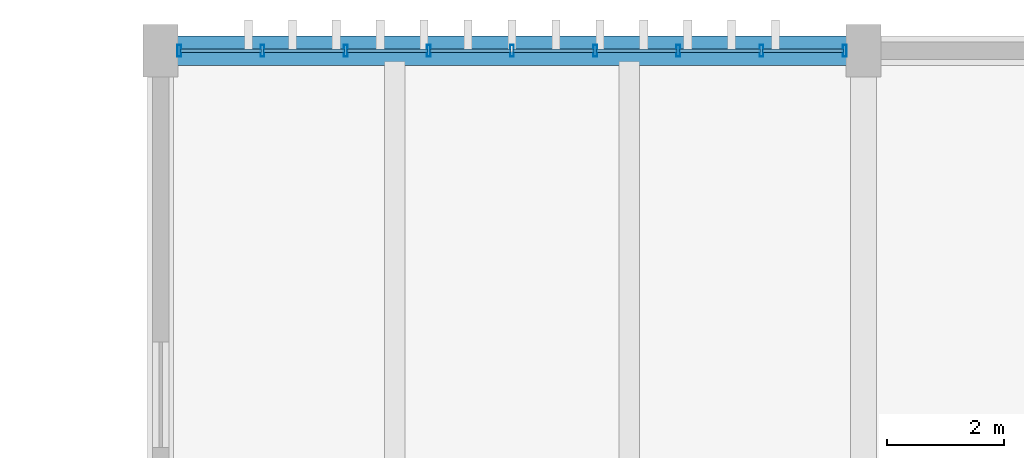
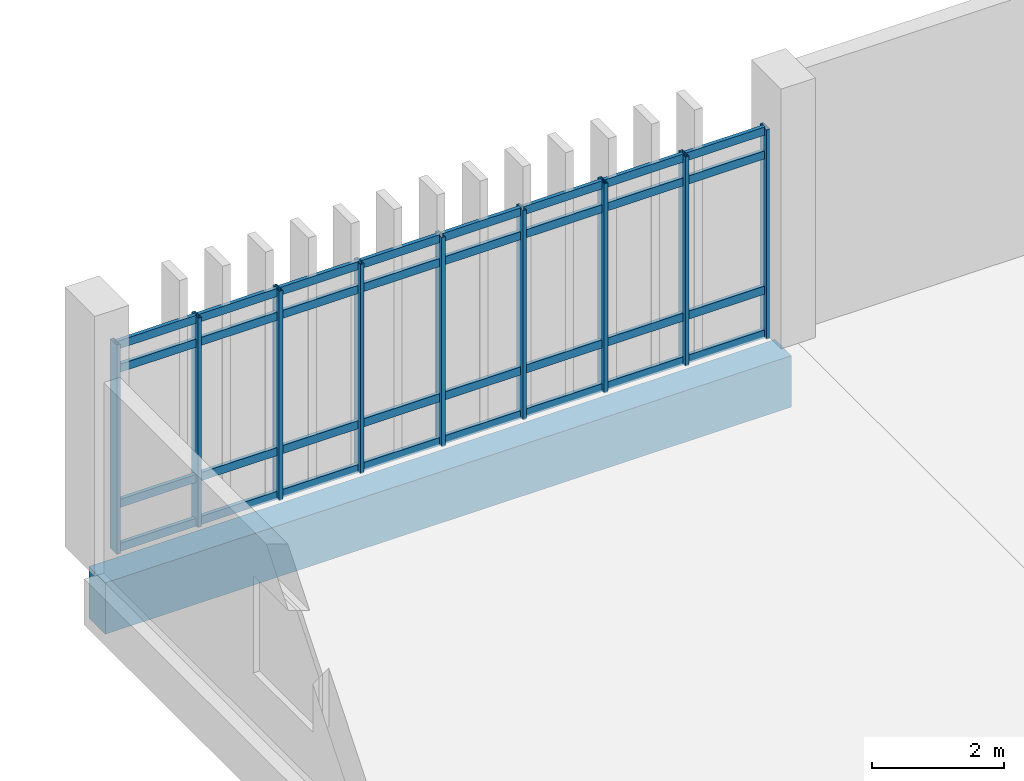
# One storey, part 37 of 87: 41 members, 1 beam, 1 element without a shape of its own.
"""IFC4 building model written with IfcOpenShell, lengths in metres."""

import ifcopenshell
import ifcopenshell.guid

model = None  # the IFC model being written
_history = None  # IfcOwnerHistory: only IFC2X3 demands one
_inside = {}  # id of a spatial element -> (the spatial element, [elements in it])
_under = {}  # id of a project, library or spatial element -> (it, [spatial elements below it])
_declared = {}  # id of a project -> (the project, [libraries it declares])
_typed = {}  # id of a type object -> (the type object, [elements of that type])
_made_of = {}  # id of a material, layer set ... -> (it, [elements and type objects made of it])


def new_model(schema):
    """Start an empty IFC model of exactly this schema.

    Asked for "IFC4X3", IfcOpenShell would pick the latest addendum, in which some entities
    have other attributes; the version numbers below select the first issue.
    IFC2X3 requires an IfcOwnerHistory on every rooted entity: one is made here for all.
    """
    global model, _history
    if schema == "IFC4X3":
        model = ifcopenshell.file(schema_version=(4, 3, 0, 0))
    else:
        model = ifcopenshell.file(schema=schema)
    _inside.clear()
    _under.clear()
    _declared.clear()
    _typed.clear()
    _made_of.clear()
    _history = None
    if model.schema == "IFC2X3":
        org = make("IfcOrganization", Name="unknown")
        user = make(
            "IfcPersonAndOrganization",
            ThePerson=make("IfcPerson", FamilyName="unknown"),
            TheOrganization=org,
        )
        app = make(
            "IfcApplication",
            ApplicationDeveloper=org,
            Version="unknown",
            ApplicationFullName="unknown",
            ApplicationIdentifier="unknown",
        )
        _history = make(
            "IfcOwnerHistory",
            OwningUser=user,
            OwningApplication=app,
            ChangeAction="ADDED",
            CreationDate=0,
        )
    return model


def make(cls, **values):
    """One entity of the class cls with the attributes given. An attribute that is None is left unset."""
    return model.create_entity(
        cls, **{name: value for name, value in values.items() if value is not None}
    )


def rooted(cls, **values):
    """An entity with a GlobalId (a new one), such as an element, a storey or a relation."""
    return make(cls, GlobalId=ifcopenshell.guid.new(), OwnerHistory=_history, **values)


def si_unit(unit_type, name, prefix=None):
    """IfcSIUnit, for example si_unit("LENGTHUNIT", "METRE", prefix="MILLI")."""
    return make("IfcSIUnit", UnitType=unit_type, Prefix=prefix, Name=name)


def assignment(units):
    """IfcUnitAssignment: the units of a project."""
    return None if units is None else make("IfcUnitAssignment", Units=units)


def point(xyz):
    """IfcCartesianPoint."""
    return None if xyz is None else make("IfcCartesianPoint", Coordinates=xyz)


def direction(xyz):
    """IfcDirection."""
    return None if xyz is None else make("IfcDirection", DirectionRatios=xyz)


def frame(location, z_axis=None, x_axis=None):
    """IfcAxis2Placement3D, a coordinate frame: its origin and axes. An axis left out is left unset."""
    return make(
        "IfcAxis2Placement3D",
        Location=point(location),
        Axis=direction(z_axis),
        RefDirection=direction(x_axis),
    )


def frame_2d(location, x_axis=None):
    """IfcAxis2Placement2D, a coordinate frame in the plane: its origin and x axis."""
    return make(
        "IfcAxis2Placement2D", Location=point(location), RefDirection=direction(x_axis)
    )


def origin():
    """The frame at (0, 0, 0) with its axes left unset."""
    return frame((0.0, 0.0, 0.0))


def origin_2d():
    """The frame at (0, 0) in the plane with its x axis left unset."""
    return frame_2d((0.0, 0.0))


def place(relative_to, where):
    """IfcLocalPlacement: puts the frame where relative to a parent placement (None: the world)."""
    return make(
        "IfcLocalPlacement", PlacementRelTo=relative_to, RelativePlacement=where
    )


def context(
    kind, dimensions, precision=None, world=None, true_north=None, identifier=None
):
    """IfcGeometricRepresentationContext, for example the 3D "Model" context."""
    return make(
        "IfcGeometricRepresentationContext",
        ContextIdentifier=identifier,
        ContextType=kind,
        CoordinateSpaceDimension=dimensions,
        Precision=precision,
        WorldCoordinateSystem=world,
        TrueNorth=true_north,
    )


def subcontext(parent, identifier, kind, view, scale=None):
    """IfcGeometricRepresentationSubContext, for example "Body" below "Model"."""
    return make(
        "IfcGeometricRepresentationSubContext",
        ContextIdentifier=identifier,
        ContextType=kind,
        ParentContext=parent,
        TargetScale=scale,
        TargetView=view,
    )


def project(units=None, contexts=None):
    """IfcProject with its units and contexts."""
    return rooted(
        "IfcProject",
        Name="project",
        RepresentationContexts=contexts,
        UnitsInContext=assignment(units),
    )


def spatial(cls, under=None, at=None, **own):
    """A site, building, storey or space (cls), placed at a placement, below another one or the project."""
    s = rooted(cls, ObjectPlacement=at, **own)
    if under is not None:
        _under.setdefault(under.id(), (under, []))[1].append(s)
    return s


def profile(cls, at=None, kind="AREA", **sizes):
    """A parametric profile (cls). Its sizes go by their IFC names, for example OverallWidth=200.0."""
    return make(cls, ProfileType=kind, Position=at, **sizes)


def rectangle(**sizes):
    """IfcRectangleProfileDef."""
    return profile("IfcRectangleProfileDef", **sizes)


def hollow_rectangle(**sizes):
    """IfcRectangleHollowProfileDef."""
    return profile("IfcRectangleHollowProfileDef", **sizes)


def extrude(swept, where, along, depth):
    """IfcExtrudedAreaSolid: the profile swept, set in the frame where, extruded along a direction by depth."""
    return make(
        "IfcExtrudedAreaSolid",
        SweptArea=swept,
        Position=where,
        ExtrudedDirection=direction(along),
        Depth=depth,
    )


def shape(context_of_items, identifier, shape_type, items):
    """IfcShapeRepresentation: the items that make up one representation, for example the "Body"."""
    return make(
        "IfcShapeRepresentation",
        ContextOfItems=context_of_items,
        RepresentationIdentifier=identifier,
        RepresentationType=shape_type,
        Items=items,
    )


def material(Name=None, Category=None):
    """IfcMaterial."""
    return make("IfcMaterial", Name=Name, Category=Category)


def layer(
    of_material, thickness, ventilated=None, Name=None, Category=None, Priority=None
):
    """IfcMaterialLayer: one layer of a wall or slab, of a material (None: an air gap)."""
    return make(
        "IfcMaterialLayer",
        Material=of_material,
        LayerThickness=thickness,
        IsVentilated=ventilated,
        Name=Name,
        Category=Category,
        Priority=Priority,
    )


def layer_set(layers, Name=None):
    """IfcMaterialLayerSet."""
    return make("IfcMaterialLayerSet", MaterialLayers=layers, LayerSetName=Name)


def material_profile(
    of_material, cross_section, Name=None, Category=None, Priority=None
):
    """IfcMaterialProfile: a cross section and its material."""
    return make(
        "IfcMaterialProfile",
        Name=Name,
        Material=of_material,
        Profile=cross_section,
        Priority=Priority,
        Category=Category,
    )


def profile_set(profiles, Name=None, composite=None):
    """IfcMaterialProfileSet."""
    return make(
        "IfcMaterialProfileSet",
        Name=Name,
        MaterialProfiles=profiles,
        CompositeProfile=composite,
    )


def made_of(thing, what):
    """Note that an element or type object is made of a material, layer set ...; save() writes the relation."""
    if what is not None:
        _made_of.setdefault(what.id(), (what, []))[1].append(thing)
    return thing


def type_object(cls, material=None, **own):
    """A type object (cls), such as IfcWallType, which elements share."""
    return made_of(rooted(cls, **own), material)


def element(
    cls,
    number,
    at=None,
    inside=None,
    cuts=None,
    type_object=None,
    material=None,
    context=None,
    identifier="Body",
    shape_type=None,
    held_by="IfcProductDefinitionShape",
    body=None,
    shapes=None,
    **own,
):
    """One element of the class cls, such as IfcWall. Its Tag is "e" and its number.

    at: its placement. inside: the storey or other place that contains it. cuts: it is an
    opening in that element (IfcRelVoidsElement). A single representation is given by context,
    identifier, shape_type and body (its items); several are given by shapes. held_by: the class
    of the entity that holds the representations. save() writes the other relations.
    """
    e = rooted(cls, Tag="e%d" % number, ObjectPlacement=at, **own)
    if body is not None:
        shapes = [shape(context, identifier, shape_type, body)]
    if shapes is not None:
        e.Representation = make(held_by, Representations=shapes)
    if inside is not None:
        _inside.setdefault(inside.id(), (inside, []))[1].append(e)
    if cuts is not None:
        rooted(
            "IfcRelVoidsElement", RelatingBuildingElement=cuts, RelatedOpeningElement=e
        )
    if type_object is not None:
        _typed.setdefault(type_object.id(), (type_object, []))[1].append(e)
    return made_of(e, material)


def aggregate(whole, parts):
    """IfcRelAggregates: a whole, such as a stair, and the parts it consists of."""
    return rooted("IfcRelAggregates", RelatingObject=whole, RelatedObjects=parts)


def save(model, path):
    """Write the relations noted so far, then the file.

    IfcRelAggregates (storeys below a building ...), IfcRelContainedInSpatialStructure (elements
    in a storey), IfcRelDefinesByType, IfcRelAssociatesMaterial and IfcRelDeclares: one each for
    every whole, place, type object, material and project.
    """
    for whole, parts in _under.values():
        aggregate(whole, parts)
    for where, things in _inside.values():
        rooted(
            "IfcRelContainedInSpatialStructure",
            RelatedElements=things,
            RelatingStructure=where,
        )
    for kind, things in _typed.values():
        rooted("IfcRelDefinesByType", RelatedObjects=things, RelatingType=kind)
    for what, things in _made_of.values():
        rooted("IfcRelAssociatesMaterial", RelatedObjects=things, RelatingMaterial=what)
    for by, libraries in _declared.values():
        rooted("IfcRelDeclares", RelatingContext=by, RelatedDefinitions=libraries)
    model.write(path)


model = new_model("IFC4")

# Units and contexts
model_context = context("Model", 3, precision=1e-05, world=origin(), true_north=direction((0.0, 1.0)))
body_context = subcontext(model_context, "Body", "Model", "MODEL_VIEW")
ifc_project = project(units=[si_unit("LENGTHUNIT", "METRE"), si_unit("AREAUNIT", "SQUARE_METRE"), si_unit("VOLUMEUNIT", "CUBIC_METRE"), si_unit("PLANEANGLEUNIT", "RADIAN"), si_unit("MASSUNIT", "GRAM", prefix="KILO")], contexts=[model_context])

# Site, building, storey
site_placement = place(None, origin())
site = spatial("IfcSite", under=ifc_project, at=site_placement, CompositionType="ELEMENT")
building_placement = place(site_placement, origin())
building = spatial("IfcBuilding", under=site, at=building_placement, Name="Mersad Railyard Sports Hall", CompositionType="ELEMENT")
storey_placement = place(building_placement, origin())
storey = spatial("IfcBuildingStorey", under=building, at=storey_placement, Name="L00", CompositionType="ELEMENT", Elevation=0.0)

# Curtain wall, members
ifc_material_1 = material(Name="Aluminium 6063-T6", Category="aluminium")
ifc_layer = layer(ifc_material_1, 0.199951171875)
ifc_layer_set = layer_set([ifc_layer], Name="Aluminium 6063-T6")
curtain_wall_type = type_object("IfcCurtainWallType", Name="ARC-CW-CW28", PredefinedType="USERDEFINED", material=ifc_layer_set)
curtain_wall_placement = place(storey_placement, origin())
curtain_wall = element("IfcCurtainWall", 1, at=curtain_wall_placement, inside=storey, type_object=curtain_wall_type, Name="Curtain wall CW28-0083", ObjectType="CURTAIN WALL", PredefinedType="USERDEFINED")
ifc_material_profile_1 = material_profile(ifc_material_1, hollow_rectangle(XDim=0.06494140625, YDim=0.199951171875, WallThickness=0.0048828125, at=origin_2d()), Name="AL MULLION 65x200x5")
ifc_profile_set_1 = profile_set([ifc_material_profile_1], Name="Aluminium 6063-T6")
member_type_1 = type_object("IfcMemberType", Name="ARC-CW-MUL02", PredefinedType="MULLION", material=ifc_profile_set_1)
member_1_placement = place(storey_placement, frame((43.320068359375, 115.0, -0.02001953125), z_axis=(0.0, 0.0, 1.0), x_axis=(1.0, 0.0, 0.0)))
member_1 = element("IfcMember", 2, at=member_1_placement, type_object=member_type_1, Name="CW28 Mullion 1", PredefinedType="MULLION", context=body_context, shape_type="SweptSolid", body=[
    extrude(hollow_rectangle(XDim=0.06494140625, YDim=0.199951171875, WallThickness=0.0048828125, at=origin_2d()), origin(), (0.0, 0.0, 1.0), 3.8701171875),
])
member_2_placement = place(storey_placement, frame((44.739990234375, 115.0, -0.02001953125), z_axis=(0.0, 0.0, 1.0), x_axis=(1.0, 0.0, 0.0)))
member_2 = element("IfcMember", 3, at=member_2_placement, type_object=member_type_1, Name="CW28 Mullion 2", PredefinedType="MULLION", context=body_context, shape_type="SweptSolid", body=[
    extrude(hollow_rectangle(XDim=0.06494140625, YDim=0.199951171875, WallThickness=0.0048828125, at=origin_2d()), origin(), (0.0, 0.0, 1.0), 3.8701171875),
])
member_3_placement = place(storey_placement, frame((46.159912109375, 115.0, -0.02001953125), z_axis=(0.0, 0.0, 1.0), x_axis=(1.0, 0.0, 0.0)))
member_3 = element("IfcMember", 4, at=member_3_placement, type_object=member_type_1, Name="CW28 Mullion 3", PredefinedType="MULLION", context=body_context, shape_type="SweptSolid", body=[
    extrude(hollow_rectangle(XDim=0.06494140625, YDim=0.199951171875, WallThickness=0.0048828125, at=origin_2d()), origin(), (0.0, 0.0, 1.0), 3.8701171875),
])
member_4_placement = place(storey_placement, frame((47.580078125, 115.0, -0.02001953125), z_axis=(0.0, 0.0, 1.0), x_axis=(1.0, 0.0, 0.0)))
member_4 = element("IfcMember", 5, at=member_4_placement, type_object=member_type_1, Name="CW28 Mullion 4", PredefinedType="MULLION", context=body_context, shape_type="SweptSolid", body=[
    extrude(hollow_rectangle(XDim=0.06494140625, YDim=0.199951171875, WallThickness=0.0048828125, at=origin_2d()), origin(), (0.0, 0.0, 1.0), 3.8701171875),
])
member_5_placement = place(storey_placement, frame((49.0, 115.0, -0.02001953125), z_axis=(0.0, 0.0, 1.0), x_axis=(1.0, 0.0, 0.0)))
member_5 = element("IfcMember", 6, at=member_5_placement, type_object=member_type_1, Name="CW28 Mullion 5", PredefinedType="MULLION", context=body_context, shape_type="SweptSolid", body=[
    extrude(hollow_rectangle(XDim=0.06494140625, YDim=0.199951171875, WallThickness=0.0048828125, at=origin_2d()), origin(), (0.0, 0.0, 1.0), 3.8701171875),
])
member_6_placement = place(storey_placement, frame((50.419921875, 115.0, -0.02001953125), z_axis=(0.0, 0.0, 1.0), x_axis=(1.0, 0.0, 0.0)))
member_6 = element("IfcMember", 7, at=member_6_placement, type_object=member_type_1, Name="CW28 Mullion 6", PredefinedType="MULLION", context=body_context, shape_type="SweptSolid", body=[
    extrude(hollow_rectangle(XDim=0.06494140625, YDim=0.199951171875, WallThickness=0.0048828125, at=origin_2d()), origin(), (0.0, 0.0, 1.0), 3.8701171875),
])
member_7_placement = place(storey_placement, frame((51.840087890625, 115.0, -0.02001953125), z_axis=(0.0, 0.0, 1.0), x_axis=(1.0, 0.0, 0.0)))
member_7 = element("IfcMember", 8, at=member_7_placement, type_object=member_type_1, Name="CW28 Mullion 7", PredefinedType="MULLION", context=body_context, shape_type="SweptSolid", body=[
    extrude(hollow_rectangle(XDim=0.06494140625, YDim=0.199951171875, WallThickness=0.0048828125, at=origin_2d()), origin(), (0.0, 0.0, 1.0), 3.8701171875),
])
member_8_placement = place(storey_placement, frame((53.260009765625, 115.0, -0.02001953125), z_axis=(0.0, 0.0, 1.0), x_axis=(1.0, 0.0, 0.0)))
member_8 = element("IfcMember", 9, at=member_8_placement, type_object=member_type_1, Name="CW28 Mullion 8", PredefinedType="MULLION", context=body_context, shape_type="SweptSolid", body=[
    extrude(hollow_rectangle(XDim=0.06494140625, YDim=0.199951171875, WallThickness=0.0048828125, at=origin_2d()), origin(), (0.0, 0.0, 1.0), 3.8701171875),
])
member_9_placement = place(storey_placement, frame((54.679931640625, 115.0, -0.02001953125), z_axis=(0.0, 0.0, 1.0), x_axis=(1.0, 0.0, 0.0)))
member_9 = element("IfcMember", 10, at=member_9_placement, type_object=member_type_1, Name="CW28 Mullion 9", PredefinedType="MULLION", context=body_context, shape_type="SweptSolid", body=[
    extrude(hollow_rectangle(XDim=0.06494140625, YDim=0.199951171875, WallThickness=0.0048828125, at=origin_2d()), origin(), (0.0, 0.0, 1.0), 3.8701171875),
])
ifc_material_profile_2 = material_profile(ifc_material_1, hollow_rectangle(XDim=0.06494140625, YDim=0.14990234375, WallThickness=0.00439453125, at=origin_2d()), Name="AL TRANSOM 65x150x4.5")
ifc_profile_set_2 = profile_set([ifc_material_profile_2], Name="Aluminium 6063-T6")
member_type_2 = type_object("IfcMemberType", Name="ARC-CW-TRN02", PredefinedType="USERDEFINED", material=ifc_profile_set_2)
member_10_placement = place(storey_placement, frame((43.340087890625, 115.0, 0.0400390625), z_axis=(1.0, 0.0, 0.0), x_axis=(0.0, 1.0, 0.0)))
member_10 = element("IfcMember", 11, at=member_10_placement, type_object=member_type_2, Name="CW28 Transom 1-1", ObjectType="TRANSOM", PredefinedType="USERDEFINED", context=body_context, shape_type="SweptSolid", body=[
    extrude(hollow_rectangle(XDim=0.06494140625, YDim=0.14990234375, WallThickness=0.00439453125, at=origin_2d()), origin(), (0.0, 0.0, 1.0), 1.3798828125),
])
member_11_placement = place(storey_placement, frame((44.760009765625, 115.0, 0.0400390625), z_axis=(1.0, 0.0, 0.0), x_axis=(0.0, 1.0, 0.0)))
member_11 = element("IfcMember", 12, at=member_11_placement, type_object=member_type_2, Name="CW28 Transom 1-2", ObjectType="TRANSOM", PredefinedType="USERDEFINED", context=body_context, shape_type="SweptSolid", body=[
    extrude(hollow_rectangle(XDim=0.06494140625, YDim=0.14990234375, WallThickness=0.00439453125, at=origin_2d()), origin(), (0.0, 0.0, 1.0), 1.3798828125),
])
member_12_placement = place(storey_placement, frame((46.179931640625, 115.0, 0.0400390625), z_axis=(1.0, 0.0, 0.0), x_axis=(0.0, 1.0, 0.0)))
member_12 = element("IfcMember", 13, at=member_12_placement, type_object=member_type_2, Name="CW28 Transom 1-3", ObjectType="TRANSOM", PredefinedType="USERDEFINED", context=body_context, shape_type="SweptSolid", body=[
    extrude(hollow_rectangle(XDim=0.06494140625, YDim=0.14990234375, WallThickness=0.00439453125, at=origin_2d()), origin(), (0.0, 0.0, 1.0), 1.380126953125),
])
member_13_placement = place(storey_placement, frame((47.60009765625, 115.0, 0.0400390625), z_axis=(1.0, 0.0, 0.0), x_axis=(0.0, 1.0, 0.0)))
member_13 = element("IfcMember", 14, at=member_13_placement, type_object=member_type_2, Name="CW28 Transom 1-4", ObjectType="TRANSOM", PredefinedType="USERDEFINED", context=body_context, shape_type="SweptSolid", body=[
    extrude(hollow_rectangle(XDim=0.06494140625, YDim=0.14990234375, WallThickness=0.00439453125, at=origin_2d()), origin(), (0.0, 0.0, 1.0), 1.3798828125),
])
member_14_placement = place(storey_placement, frame((49.02001953125, 115.0, 0.0400390625), z_axis=(1.0, 0.0, 0.0), x_axis=(0.0, 1.0, 0.0)))
member_14 = element("IfcMember", 15, at=member_14_placement, type_object=member_type_2, Name="CW28 Transom 1-5", ObjectType="TRANSOM", PredefinedType="USERDEFINED", context=body_context, shape_type="SweptSolid", body=[
    extrude(hollow_rectangle(XDim=0.06494140625, YDim=0.14990234375, WallThickness=0.00439453125, at=origin_2d()), origin(), (0.0, 0.0, 1.0), 1.3798828125),
])
member_15_placement = place(storey_placement, frame((50.43994140625, 115.0, 0.0400390625), z_axis=(1.0, 0.0, 0.0), x_axis=(0.0, 1.0, 0.0)))
member_15 = element("IfcMember", 16, at=member_15_placement, type_object=member_type_2, Name="CW28 Transom 1-6", ObjectType="TRANSOM", PredefinedType="USERDEFINED", context=body_context, shape_type="SweptSolid", body=[
    extrude(hollow_rectangle(XDim=0.06494140625, YDim=0.14990234375, WallThickness=0.00439453125, at=origin_2d()), origin(), (0.0, 0.0, 1.0), 1.380126953125),
])
member_16_placement = place(storey_placement, frame((51.860107421875, 115.0, 0.0400390625), z_axis=(1.0, 0.0, 0.0), x_axis=(0.0, 1.0, 0.0)))
member_16 = element("IfcMember", 17, at=member_16_placement, type_object=member_type_2, Name="CW28 Transom 1-7", ObjectType="TRANSOM", PredefinedType="USERDEFINED", context=body_context, shape_type="SweptSolid", body=[
    extrude(hollow_rectangle(XDim=0.06494140625, YDim=0.14990234375, WallThickness=0.00439453125, at=origin_2d()), origin(), (0.0, 0.0, 1.0), 1.3798828125),
])
member_17_placement = place(storey_placement, frame((53.280029296875, 115.0, 0.0400390625), z_axis=(1.0, 0.0, 0.0), x_axis=(0.0, 1.0, 0.0)))
member_17 = element("IfcMember", 18, at=member_17_placement, type_object=member_type_2, Name="CW28 Transom 1-8", ObjectType="TRANSOM", PredefinedType="USERDEFINED", context=body_context, shape_type="SweptSolid", body=[
    extrude(hollow_rectangle(XDim=0.06494140625, YDim=0.14990234375, WallThickness=0.00439453125, at=origin_2d()), origin(), (0.0, 0.0, 1.0), 1.3798828125),
])
member_18_placement = place(storey_placement, frame((43.340087890625, 115.0, 0.85009765625), z_axis=(1.0, 0.0, 0.0), x_axis=(0.0, 1.0, 0.0)))
member_18 = element("IfcMember", 19, at=member_18_placement, type_object=member_type_2, Name="CW28 Transom 2-1", ObjectType="TRANSOM", PredefinedType="USERDEFINED", context=body_context, shape_type="SweptSolid", body=[
    extrude(hollow_rectangle(XDim=0.06494140625, YDim=0.14990234375, WallThickness=0.00439453125, at=origin_2d()), origin(), (0.0, 0.0, 1.0), 1.3798828125),
])
member_19_placement = place(storey_placement, frame((44.760009765625, 115.0, 0.85009765625), z_axis=(1.0, 0.0, 0.0), x_axis=(0.0, 1.0, 0.0)))
member_19 = element("IfcMember", 20, at=member_19_placement, type_object=member_type_2, Name="CW28 Transom 2-2", ObjectType="TRANSOM", PredefinedType="USERDEFINED", context=body_context, shape_type="SweptSolid", body=[
    extrude(hollow_rectangle(XDim=0.06494140625, YDim=0.14990234375, WallThickness=0.00439453125, at=origin_2d()), origin(), (0.0, 0.0, 1.0), 1.3798828125),
])
member_20_placement = place(storey_placement, frame((46.179931640625, 115.0, 0.85009765625), z_axis=(1.0, 0.0, 0.0), x_axis=(0.0, 1.0, 0.0)))
member_20 = element("IfcMember", 21, at=member_20_placement, type_object=member_type_2, Name="CW28 Transom 2-3", ObjectType="TRANSOM", PredefinedType="USERDEFINED", context=body_context, shape_type="SweptSolid", body=[
    extrude(hollow_rectangle(XDim=0.06494140625, YDim=0.14990234375, WallThickness=0.00439453125, at=origin_2d()), origin(), (0.0, 0.0, 1.0), 1.380126953125),
])
member_21_placement = place(storey_placement, frame((47.60009765625, 115.0, 0.85009765625), z_axis=(1.0, 0.0, 0.0), x_axis=(0.0, 1.0, 0.0)))
member_21 = element("IfcMember", 22, at=member_21_placement, type_object=member_type_2, Name="CW28 Transom 2-4", ObjectType="TRANSOM", PredefinedType="USERDEFINED", context=body_context, shape_type="SweptSolid", body=[
    extrude(hollow_rectangle(XDim=0.06494140625, YDim=0.14990234375, WallThickness=0.00439453125, at=origin_2d()), origin(), (0.0, 0.0, 1.0), 1.3798828125),
])
member_22_placement = place(storey_placement, frame((49.02001953125, 115.0, 0.85009765625), z_axis=(1.0, 0.0, 0.0), x_axis=(0.0, 1.0, 0.0)))
member_22 = element("IfcMember", 23, at=member_22_placement, type_object=member_type_2, Name="CW28 Transom 2-5", ObjectType="TRANSOM", PredefinedType="USERDEFINED", context=body_context, shape_type="SweptSolid", body=[
    extrude(hollow_rectangle(XDim=0.06494140625, YDim=0.14990234375, WallThickness=0.00439453125, at=origin_2d()), origin(), (0.0, 0.0, 1.0), 1.3798828125),
])
member_23_placement = place(storey_placement, frame((50.43994140625, 115.0, 0.85009765625), z_axis=(1.0, 0.0, 0.0), x_axis=(0.0, 1.0, 0.0)))
member_23 = element("IfcMember", 24, at=member_23_placement, type_object=member_type_2, Name="CW28 Transom 2-6", ObjectType="TRANSOM", PredefinedType="USERDEFINED", context=body_context, shape_type="SweptSolid", body=[
    extrude(hollow_rectangle(XDim=0.06494140625, YDim=0.14990234375, WallThickness=0.00439453125, at=origin_2d()), origin(), (0.0, 0.0, 1.0), 1.380126953125),
])
member_24_placement = place(storey_placement, frame((51.860107421875, 115.0, 0.85009765625), z_axis=(1.0, 0.0, 0.0), x_axis=(0.0, 1.0, 0.0)))
member_24 = element("IfcMember", 25, at=member_24_placement, type_object=member_type_2, Name="CW28 Transom 2-7", ObjectType="TRANSOM", PredefinedType="USERDEFINED", context=body_context, shape_type="SweptSolid", body=[
    extrude(hollow_rectangle(XDim=0.06494140625, YDim=0.14990234375, WallThickness=0.00439453125, at=origin_2d()), origin(), (0.0, 0.0, 1.0), 1.3798828125),
])
member_25_placement = place(storey_placement, frame((53.280029296875, 115.0, 0.85009765625), z_axis=(1.0, 0.0, 0.0), x_axis=(0.0, 1.0, 0.0)))
member_25 = element("IfcMember", 26, at=member_25_placement, type_object=member_type_2, Name="CW28 Transom 2-8", ObjectType="TRANSOM", PredefinedType="USERDEFINED", context=body_context, shape_type="SweptSolid", body=[
    extrude(hollow_rectangle(XDim=0.06494140625, YDim=0.14990234375, WallThickness=0.00439453125, at=origin_2d()), origin(), (0.0, 0.0, 1.0), 1.3798828125),
])
member_26_placement = place(storey_placement, frame((43.340087890625, 115.0, 3.35009765625), z_axis=(1.0, 0.0, 0.0), x_axis=(0.0, 1.0, 0.0)))
member_26 = element("IfcMember", 27, at=member_26_placement, type_object=member_type_2, Name="CW28 Transom 3-1", ObjectType="TRANSOM", PredefinedType="USERDEFINED", context=body_context, shape_type="SweptSolid", body=[
    extrude(hollow_rectangle(XDim=0.06494140625, YDim=0.14990234375, WallThickness=0.00439453125, at=origin_2d()), origin(), (0.0, 0.0, 1.0), 1.3798828125),
])
member_27_placement = place(storey_placement, frame((44.760009765625, 115.0, 3.35009765625), z_axis=(1.0, 0.0, 0.0), x_axis=(0.0, 1.0, 0.0)))
member_27 = element("IfcMember", 28, at=member_27_placement, type_object=member_type_2, Name="CW28 Transom 3-2", ObjectType="TRANSOM", PredefinedType="USERDEFINED", context=body_context, shape_type="SweptSolid", body=[
    extrude(hollow_rectangle(XDim=0.06494140625, YDim=0.14990234375, WallThickness=0.00439453125, at=origin_2d()), origin(), (0.0, 0.0, 1.0), 1.3798828125),
])
member_28_placement = place(storey_placement, frame((46.179931640625, 115.0, 3.35009765625), z_axis=(1.0, 0.0, 0.0), x_axis=(0.0, 1.0, 0.0)))
member_28 = element("IfcMember", 29, at=member_28_placement, type_object=member_type_2, Name="CW28 Transom 3-3", ObjectType="TRANSOM", PredefinedType="USERDEFINED", context=body_context, shape_type="SweptSolid", body=[
    extrude(hollow_rectangle(XDim=0.06494140625, YDim=0.14990234375, WallThickness=0.00439453125, at=origin_2d()), origin(), (0.0, 0.0, 1.0), 1.380126953125),
])
member_29_placement = place(storey_placement, frame((47.60009765625, 115.0, 3.35009765625), z_axis=(1.0, 0.0, 0.0), x_axis=(0.0, 1.0, 0.0)))
member_29 = element("IfcMember", 30, at=member_29_placement, type_object=member_type_2, Name="CW28 Transom 3-4", ObjectType="TRANSOM", PredefinedType="USERDEFINED", context=body_context, shape_type="SweptSolid", body=[
    extrude(hollow_rectangle(XDim=0.06494140625, YDim=0.14990234375, WallThickness=0.00439453125, at=origin_2d()), origin(), (0.0, 0.0, 1.0), 1.3798828125),
])
member_30_placement = place(storey_placement, frame((49.02001953125, 115.0, 3.35009765625), z_axis=(1.0, 0.0, 0.0), x_axis=(0.0, 1.0, 0.0)))
member_30 = element("IfcMember", 31, at=member_30_placement, type_object=member_type_2, Name="CW28 Transom 3-5", ObjectType="TRANSOM", PredefinedType="USERDEFINED", context=body_context, shape_type="SweptSolid", body=[
    extrude(hollow_rectangle(XDim=0.06494140625, YDim=0.14990234375, WallThickness=0.00439453125, at=origin_2d()), origin(), (0.0, 0.0, 1.0), 1.3798828125),
])
member_31_placement = place(storey_placement, frame((50.43994140625, 115.0, 3.35009765625), z_axis=(1.0, 0.0, 0.0), x_axis=(0.0, 1.0, 0.0)))
member_31 = element("IfcMember", 32, at=member_31_placement, type_object=member_type_2, Name="CW28 Transom 3-6", ObjectType="TRANSOM", PredefinedType="USERDEFINED", context=body_context, shape_type="SweptSolid", body=[
    extrude(hollow_rectangle(XDim=0.06494140625, YDim=0.14990234375, WallThickness=0.00439453125, at=origin_2d()), origin(), (0.0, 0.0, 1.0), 1.380126953125),
])
member_32_placement = place(storey_placement, frame((51.860107421875, 115.0, 3.35009765625), z_axis=(1.0, 0.0, 0.0), x_axis=(0.0, 1.0, 0.0)))
member_32 = element("IfcMember", 33, at=member_32_placement, type_object=member_type_2, Name="CW28 Transom 3-7", ObjectType="TRANSOM", PredefinedType="USERDEFINED", context=body_context, shape_type="SweptSolid", body=[
    extrude(hollow_rectangle(XDim=0.06494140625, YDim=0.14990234375, WallThickness=0.00439453125, at=origin_2d()), origin(), (0.0, 0.0, 1.0), 1.3798828125),
])
member_33_placement = place(storey_placement, frame((53.280029296875, 115.0, 3.35009765625), z_axis=(1.0, 0.0, 0.0), x_axis=(0.0, 1.0, 0.0)))
member_33 = element("IfcMember", 34, at=member_33_placement, type_object=member_type_2, Name="CW28 Transom 3-8", ObjectType="TRANSOM", PredefinedType="USERDEFINED", context=body_context, shape_type="SweptSolid", body=[
    extrude(hollow_rectangle(XDim=0.06494140625, YDim=0.14990234375, WallThickness=0.00439453125, at=origin_2d()), origin(), (0.0, 0.0, 1.0), 1.3798828125),
])
member_34_placement = place(storey_placement, frame((43.340087890625, 115.0, 3.7900390625), z_axis=(1.0, 0.0, 0.0), x_axis=(0.0, 1.0, 0.0)))
member_34 = element("IfcMember", 35, at=member_34_placement, type_object=member_type_2, Name="CW28 Transom 4-1", ObjectType="TRANSOM", PredefinedType="USERDEFINED", context=body_context, shape_type="SweptSolid", body=[
    extrude(hollow_rectangle(XDim=0.06494140625, YDim=0.14990234375, WallThickness=0.00439453125, at=origin_2d()), origin(), (0.0, 0.0, 1.0), 1.3798828125),
])
member_35_placement = place(storey_placement, frame((44.760009765625, 115.0, 3.7900390625), z_axis=(1.0, 0.0, 0.0), x_axis=(0.0, 1.0, 0.0)))
member_35 = element("IfcMember", 36, at=member_35_placement, type_object=member_type_2, Name="CW28 Transom 4-2", ObjectType="TRANSOM", PredefinedType="USERDEFINED", context=body_context, shape_type="SweptSolid", body=[
    extrude(hollow_rectangle(XDim=0.06494140625, YDim=0.14990234375, WallThickness=0.00439453125, at=origin_2d()), origin(), (0.0, 0.0, 1.0), 1.3798828125),
])
member_36_placement = place(storey_placement, frame((46.179931640625, 115.0, 3.7900390625), z_axis=(1.0, 0.0, 0.0), x_axis=(0.0, 1.0, 0.0)))
member_36 = element("IfcMember", 37, at=member_36_placement, type_object=member_type_2, Name="CW28 Transom 4-3", ObjectType="TRANSOM", PredefinedType="USERDEFINED", context=body_context, shape_type="SweptSolid", body=[
    extrude(hollow_rectangle(XDim=0.06494140625, YDim=0.14990234375, WallThickness=0.00439453125, at=origin_2d()), origin(), (0.0, 0.0, 1.0), 1.380126953125),
])
member_37_placement = place(storey_placement, frame((47.60009765625, 115.0, 3.7900390625), z_axis=(1.0, 0.0, 0.0), x_axis=(0.0, 1.0, 0.0)))
member_37 = element("IfcMember", 38, at=member_37_placement, type_object=member_type_2, Name="CW28 Transom 4-4", ObjectType="TRANSOM", PredefinedType="USERDEFINED", context=body_context, shape_type="SweptSolid", body=[
    extrude(hollow_rectangle(XDim=0.06494140625, YDim=0.14990234375, WallThickness=0.00439453125, at=origin_2d()), origin(), (0.0, 0.0, 1.0), 1.3798828125),
])
member_38_placement = place(storey_placement, frame((49.02001953125, 115.0, 3.7900390625), z_axis=(1.0, 0.0, 0.0), x_axis=(0.0, 1.0, 0.0)))
member_38 = element("IfcMember", 39, at=member_38_placement, type_object=member_type_2, Name="CW28 Transom 4-5", ObjectType="TRANSOM", PredefinedType="USERDEFINED", context=body_context, shape_type="SweptSolid", body=[
    extrude(hollow_rectangle(XDim=0.06494140625, YDim=0.14990234375, WallThickness=0.00439453125, at=origin_2d()), origin(), (0.0, 0.0, 1.0), 1.3798828125),
])
member_39_placement = place(storey_placement, frame((50.43994140625, 115.0, 3.7900390625), z_axis=(1.0, 0.0, 0.0), x_axis=(0.0, 1.0, 0.0)))
member_39 = element("IfcMember", 40, at=member_39_placement, type_object=member_type_2, Name="CW28 Transom 4-6", ObjectType="TRANSOM", PredefinedType="USERDEFINED", context=body_context, shape_type="SweptSolid", body=[
    extrude(hollow_rectangle(XDim=0.06494140625, YDim=0.14990234375, WallThickness=0.00439453125, at=origin_2d()), origin(), (0.0, 0.0, 1.0), 1.380126953125),
])
member_40_placement = place(storey_placement, frame((51.860107421875, 115.0, 3.7900390625), z_axis=(1.0, 0.0, 0.0), x_axis=(0.0, 1.0, 0.0)))
member_40 = element("IfcMember", 41, at=member_40_placement, type_object=member_type_2, Name="CW28 Transom 4-7", ObjectType="TRANSOM", PredefinedType="USERDEFINED", context=body_context, shape_type="SweptSolid", body=[
    extrude(hollow_rectangle(XDim=0.06494140625, YDim=0.14990234375, WallThickness=0.00439453125, at=origin_2d()), origin(), (0.0, 0.0, 1.0), 1.3798828125),
])
member_41_placement = place(storey_placement, frame((53.280029296875, 115.0, 3.7900390625), z_axis=(1.0, 0.0, 0.0), x_axis=(0.0, 1.0, 0.0)))
member_41 = element("IfcMember", 42, at=member_41_placement, type_object=member_type_2, Name="CW28 Transom 4-8", ObjectType="TRANSOM", PredefinedType="USERDEFINED", context=body_context, shape_type="SweptSolid", body=[
    extrude(hollow_rectangle(XDim=0.06494140625, YDim=0.14990234375, WallThickness=0.00439453125, at=origin_2d()), origin(), (0.0, 0.0, 1.0), 1.3798828125),
])
aggregate(curtain_wall, [member_1, member_2, member_3, member_4, member_5, member_6, member_7, member_8, member_9, member_10, member_11, member_12, member_13, member_14, member_15, member_16, member_17, member_18, member_19, member_20, member_21, member_22, member_23, member_24, member_25, member_26, member_27, member_28, member_29, member_30, member_31, member_32, member_33, member_34, member_35, member_36, member_37, member_38, member_39, member_40, member_41])

# Beam
ifc_material_2 = material(Name="Concrete C50/60", Category="concrete")
ifc_material_profile_3 = material_profile(ifc_material_2, rectangle(XDim=0.5, YDim=0.949951171875, at=origin_2d()), Name="RC 500x950")
ifc_profile_set_3 = profile_set([ifc_material_profile_3], Name="Concrete C50/60")
beam_type = type_object("IfcBeamType", Name="STR-BM-B03", PredefinedType="BEAM", material=ifc_profile_set_3)
beam_placement = place(storey_placement, frame((43.0, 115.0, -0.824951171875), z_axis=(1.0, 0.0, 0.0), x_axis=(0.0, 1.0, 0.0)))
element("IfcBeam", 43, at=beam_placement, inside=storey, type_object=beam_type, Name="Beam B03-0166", PredefinedType="BEAM", context=body_context, shape_type="SweptSolid", body=[
    extrude(rectangle(XDim=0.5, YDim=0.949951171875, at=origin_2d()), origin(), (0.0, 0.0, 1.0), 12.0),
])

save(model, "model.ifc")
